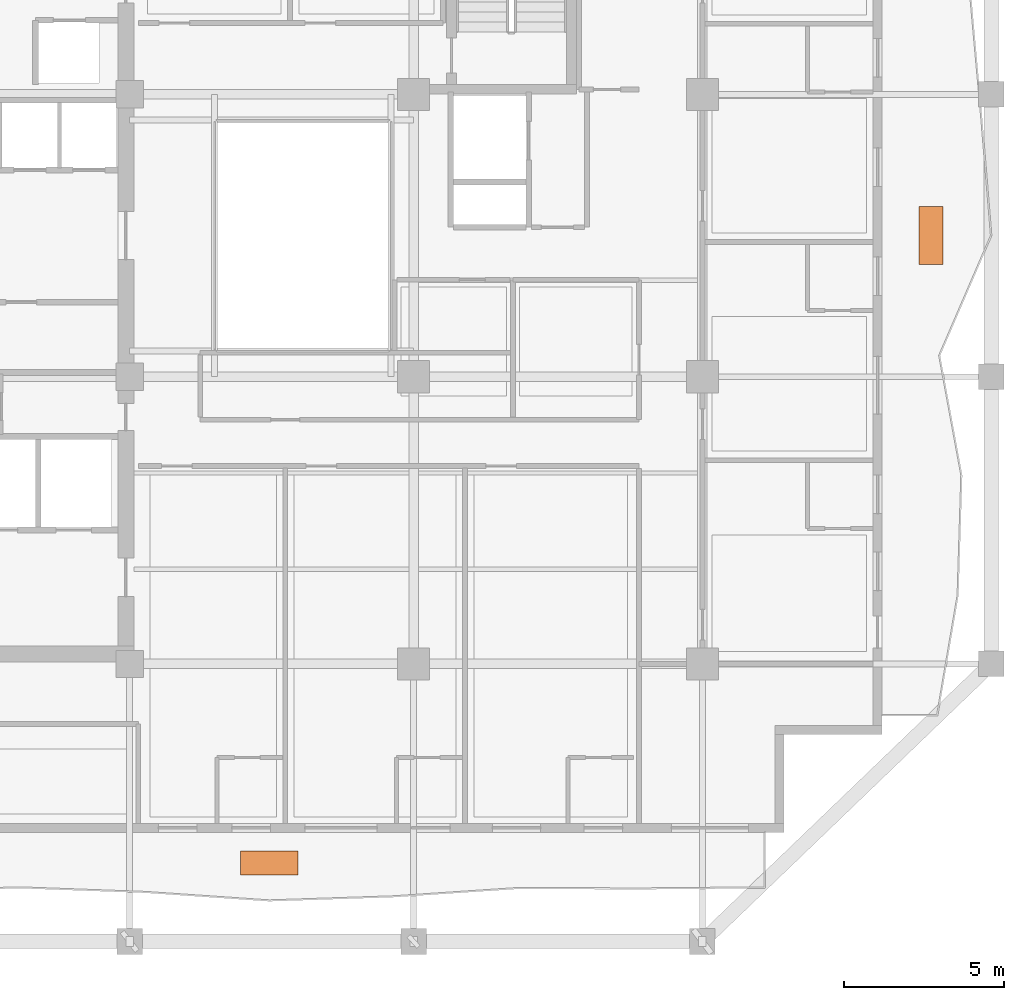
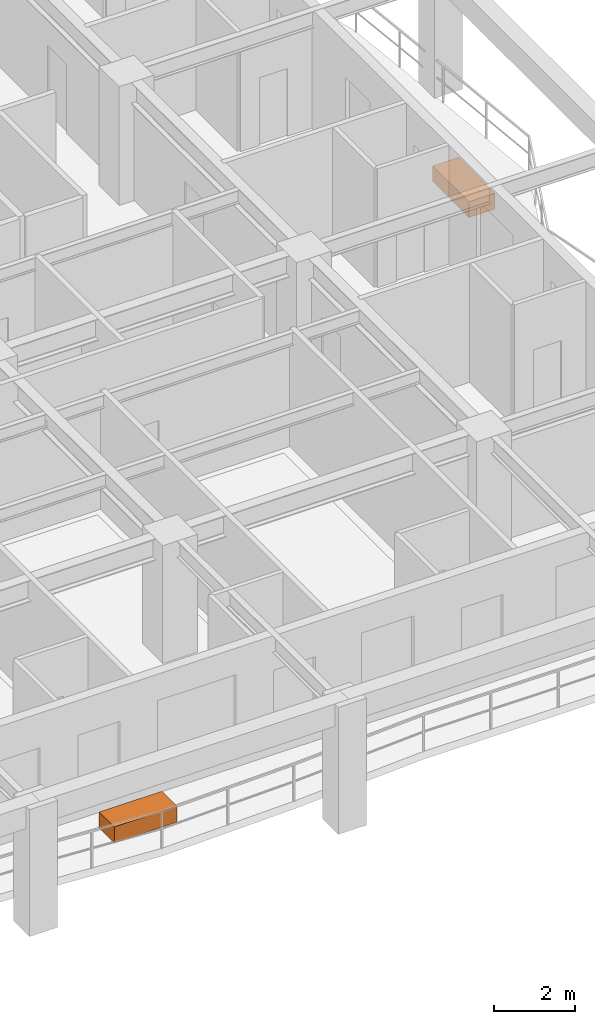
# One storey, part 12 of 12: 2 proxies.
"""IFC4 building model written with IfcOpenShell, lengths in metres."""

from ifc_helpers import new_model, si_unit, direction, frame, origin, origin_2d, place, context, subcontext, project, spatial, rectangle, extrude, material, type_object, element, save


model = new_model("IFC4")

# Units and contexts
model_context = context("Model", 3, precision=1e-05, world=origin(), true_north=direction((0.0, 1.0)))
body_context = subcontext(model_context, "Body", "Model", "MODEL_VIEW")
ifc_project = project(units=[si_unit("LENGTHUNIT", "METRE"), si_unit("AREAUNIT", "SQUARE_METRE"), si_unit("VOLUMEUNIT", "CUBIC_METRE"), si_unit("PLANEANGLEUNIT", "RADIAN"), si_unit("MASSUNIT", "GRAM", prefix="KILO")], contexts=[model_context])

# Site, building, storey
site_placement = place(None, origin())
site = spatial("IfcSite", under=ifc_project, at=site_placement, CompositionType="ELEMENT")
building_placement = place(site_placement, origin())
building = spatial("IfcBuilding", under=site, at=building_placement, Name="Kundavana Baori Tower", CompositionType="ELEMENT")
storey_placement = place(building_placement, frame((0.0, 0.0, 134.800048828125)))
storey = spatial("IfcBuildingStorey", under=building, at=storey_placement, Name="L32", CompositionType="ELEMENT", Elevation=134.800048828125)

# Proxies
ifc_material = material(Name="Red-Buff Dholpur Sandstone Cladding on Concrete C40/50", Category="masonry")
building_element_proxy_type = type_object("IfcBuildingElementProxyType", Name="PRX-PLANTER-1800", PredefinedType="USERDEFINED", material=ifc_material)
for number, where, z_axis, x_axis, name in (
    (1, (29.300048828125, 9.04296875, 0.0), (0.0, 0.0, 1.0), (1.0, 0.0, 0.0), "L32 Dholpur Stone Structural Tree Planter S"),
    (2, (49.929931640625, 28.60009765625, 0.0), (0.0, 0.0, 1.0), (0.0, 1.0, 0.0), "L32 Dholpur Stone Structural Tree Planter E"),
):
    element("IfcBuildingElementProxy", number, at=place(storey_placement, frame(where, z_axis=z_axis, x_axis=x_axis)), inside=storey, type_object=building_element_proxy_type, Name=name, ObjectType="PLANTER", PredefinedType="USERDEFINED", context=body_context, shape_type="SweptSolid", body=[
        extrude(rectangle(XDim=1.800048828125, YDim=0.75, at=origin_2d()), origin(), (0.0, 0.0, 1.0), 0.47998046875),
    ])

save(model, "model.ifc")
